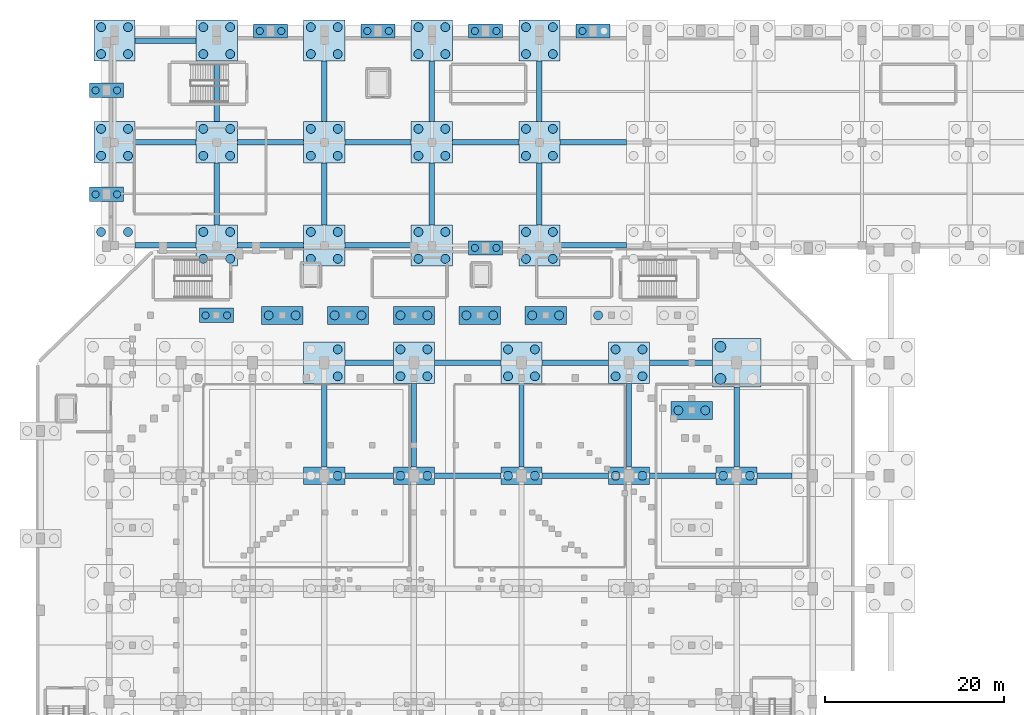
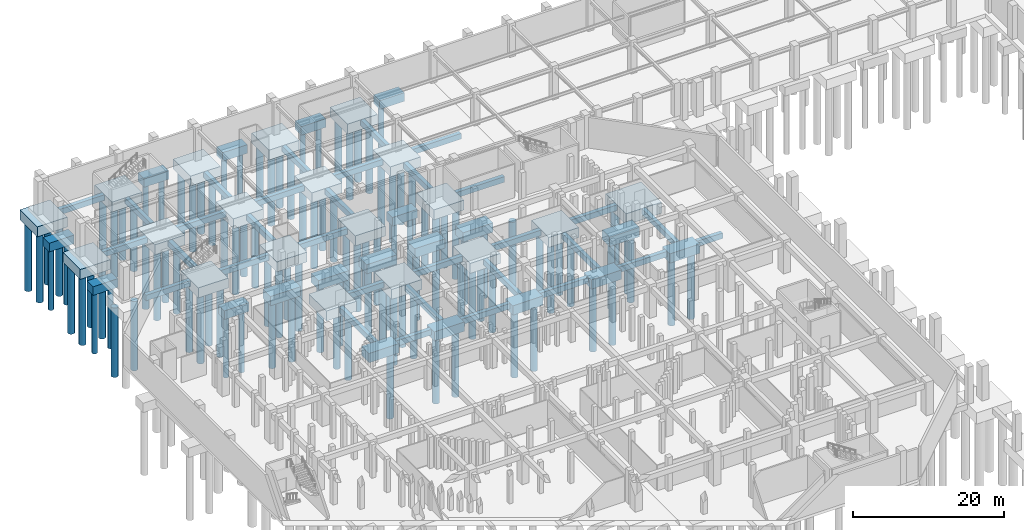
# One storey, part 3 of 27: 111 piles, 70 footings.
"""IFC4 building model written with IfcOpenShell, lengths in metres."""

from ifc_helpers import new_model, si_unit, derived_unit, direction, frame, origin, origin_2d, place, context, subcontext, project, spatial, rectangle, circle, extrude, material, layer, layer_set, material_profile, profile_set, type_object, element, save


model = new_model("IFC4")

# Units and contexts
model_context = context("Model", 3, precision=1e-05, world=origin(), true_north=direction((0.0, 1.0)))
body_context = subcontext(model_context, "Body", "Model", "MODEL_VIEW")
ifc_project = project(units=[si_unit("LENGTHUNIT", "METRE"), si_unit("AREAUNIT", "SQUARE_METRE"), si_unit("VOLUMEUNIT", "CUBIC_METRE"), si_unit("PLANEANGLEUNIT", "RADIAN"), si_unit("MASSUNIT", "GRAM", prefix="KILO"), derived_unit("THERMALTRANSMITTANCEUNIT", [(si_unit("MASSUNIT", "GRAM", prefix="KILO"), 1), (si_unit("TIMEUNIT", "SECOND"), -3), (si_unit("THERMODYNAMICTEMPERATUREUNIT", "KELVIN"), -1)])], contexts=[model_context])

# Site, building, storey
site_placement = place(None, origin())
site = spatial("IfcSite", under=ifc_project, at=site_placement, CompositionType="ELEMENT")
building_placement = place(site_placement, origin())
building = spatial("IfcBuilding", under=site, at=building_placement, Name="Valcora Ridge Arena", CompositionType="ELEMENT")
storey_placement = place(building_placement, frame((0.0, 0.0, -5.39990234375)))
storey = spatial("IfcBuildingStorey", under=building, at=storey_placement, Name="B1", CompositionType="ELEMENT", Elevation=-5.39990234375)

# Footings
ifc_material_1 = material(Name="Concrete C40/50", Category="concrete")
ifc_layer_1 = layer(ifc_material_1, 1.5, Name="Concrete C40/50")
ifc_layer_set_1 = layer_set([ifc_layer_1], Name="Concrete C40/50")
footing_type_1 = type_object("IfcFootingType", Name="TY-FOOTING-PC-2P1000", PredefinedType="PILE_CAP", material=ifc_layer_set_1)
for number, where, z_axis, x_axis, name in (
    (1, (48.0, 83.0, -2.10009765625), (0.0, 0.0, 1.0), (1.0, 0.0, 0.0), "PC-2P1000 FND-PC-0031"),
    (2, (58.0, 83.0, -2.10009765625), (0.0, 0.0, 1.0), (1.0, 0.0, 0.0), "PC-2P1000 FND-PC-0037"),
    (3, (70.0, 83.0, -2.10009765625), (0.0, 0.0, 1.0), (1.0, 0.0, 0.0), "PC-2P1000 FND-PC-0043"),
    (4, (82.0, 83.0, -2.10009765625), (0.0, 0.0, 1.0), (1.0, 0.0, 0.0), "PC-2P1000 FND-PC-0049"),
    (5, (94.0, 83.0, -2.10009765625), (0.0, 0.0, 1.0), (1.0, 0.0, 0.0), "PC-2P1000 FND-PC-0055"),
    (6, (89.0, 90.300048828125, -2.10009765625), (0.0, 0.0, 1.0), (1.0, 0.0, 0.0), "PC-2P1000 FND-PC-0273"),
    (7, (72.699951171875, 100.89990234375, -2.10009765625), (0.0, 0.0, 1.0), (1.0, 0.0, 0.0), "PC-2P1000 FND-PC-0276"),
    (8, (65.35009765625, 100.89990234375, -2.10009765625), (0.0, 0.0, 1.0), (1.0, 0.0, 0.0), "PC-2P1000 FND-PC-0277"),
    (9, (58.0, 100.89990234375, -2.10009765625), (0.0, 0.0, 1.0), (1.0, 0.0, 0.0), "PC-2P1000 FND-PC-0278"),
    (10, (50.64990234375, 100.89990234375, -2.10009765625), (0.0, 0.0, 1.0), (1.0, 0.0, 0.0), "PC-2P1000 FND-PC-0279"),
    (11, (43.300048828125, 100.89990234375, -2.10009765625), (0.0, 0.0, 1.0), (1.0, 0.0, 0.0), "PC-2P1000 FND-PC-0280"),
):
    element("IfcFooting", number, at=place(storey_placement, frame(where, z_axis=z_axis, x_axis=x_axis)), inside=storey, type_object=footing_type_1, Name=name, PredefinedType="PILE_CAP", context=body_context, shape_type="SweptSolid", body=[
        extrude(rectangle(XDim=4.60009765625, YDim=2.0, at=origin_2d()), origin(), (0.0, 0.0, 1.0), 1.5),
    ])
ifc_layer_2 = layer(ifc_material_1, 1.39990234375, Name="Concrete C40/50")
ifc_layer_set_2 = layer_set([ifc_layer_2], Name="Concrete C40/50")
footing_type_2 = type_object("IfcFootingType", Name="TY-FOOTING-PC-2P800", PredefinedType="PILE_CAP", material=ifc_layer_set_2)
for number, where, z_axis, x_axis, name in (
    (12, (42.0, 132.6201171875, -2.0), (0.0, 0.0, 1.0), (1.0, 0.0, 0.0), "PC-2P800 FND-PC-0218"),
    (13, (54.0, 132.6201171875, -2.0), (0.0, 0.0, 1.0), (1.0, 0.0, 0.0), "PC-2P800 FND-PC-0219"),
    (14, (66.0, 132.6201171875, -2.0), (0.0, 0.0, 1.0), (1.0, 0.0, 0.0), "PC-2P800 FND-PC-0220"),
    (15, (78.0, 132.6201171875, -2.0), (0.0, 0.0, 1.0), (1.0, 0.0, 0.0), "PC-2P800 FND-PC-0221"),
    (16, (23.679931640625, 114.39990234375, -2.0), (0.0, 0.0, 1.0), (1.0, 0.0, 0.0), "PC-2P800 FND-PC-0234"),
    (17, (23.679931640625, 126.0, -2.0), (0.0, 0.0, 1.0), (1.0, 0.0, 0.0), "PC-2P800 FND-PC-0235"),
    (18, (66.0, 108.419921875, -2.0), (0.0, 0.0, 1.0), (1.0, 0.0, 0.0), "PC-2P800 FND-PC-0238"),
    (19, (35.949951171875, 100.89990234375, -2.0), (0.0, 0.0, 1.0), (1.0, 0.0, 0.0), "PC-2P800 FND-PC-0281"),
):
    element("IfcFooting", number, at=place(storey_placement, frame(where, z_axis=z_axis, x_axis=x_axis)), inside=storey, type_object=footing_type_2, Name=name, PredefinedType="PILE_CAP", context=body_context, shape_type="SweptSolid", body=[
        extrude(rectangle(XDim=3.800048828125, YDim=1.60009765625, at=origin_2d()), origin(), (0.0, 0.0, 1.0), 1.39990234375),
    ])
ifc_layer_3 = layer(ifc_material_1, 1.60009765625, Name="Concrete C40/50")
ifc_layer_set_3 = layer_set([ifc_layer_3], Name="Concrete C40/50")
footing_type_3 = type_object("IfcFootingType", Name="TY-FOOTING-PC-4P1000", PredefinedType="PILE_CAP", material=ifc_layer_set_3)
for number, where, z_axis, x_axis, name in (
    (20, (48.0, 95.60009765625, -2.2001953125), (0.0, 0.0, 1.0), (1.0, 0.0, 0.0), "PC-4P1000 FND-PC-0032"),
    (21, (58.0, 95.60009765625, -2.2001953125), (0.0, 0.0, 1.0), (1.0, 0.0, 0.0), "PC-4P1000 FND-PC-0038"),
    (22, (70.0, 95.60009765625, -2.2001953125), (0.0, 0.0, 1.0), (1.0, 0.0, 0.0), "PC-4P1000 FND-PC-0044"),
    (23, (82.0, 95.60009765625, -2.2001953125), (0.0, 0.0, 1.0), (1.0, 0.0, 0.0), "PC-4P1000 FND-PC-0050"),
    (24, (24.60009765625, 120.199951171875, -2.2001953125), (0.0, 0.0, 1.0), (1.0, 0.0, 0.0), "PC-4P1000 FND-PC-0064"),
    (25, (24.60009765625, 131.550048828125, -2.2001953125), (0.0, 0.0, 1.0), (1.0, 0.0, 0.0), "PC-4P1000 FND-PC-0065"),
    (26, (36.0, 108.699951171875, -2.2001953125), (0.0, 0.0, 1.0), (1.0, 0.0, 0.0), "PC-4P1000 FND-PC-0066"),
    (27, (36.0, 120.199951171875, -2.2001953125), (0.0, 0.0, 1.0), (1.0, 0.0, 0.0), "PC-4P1000 FND-PC-0067"),
    (28, (36.0, 131.550048828125, -2.2001953125), (0.0, 0.0, 1.0), (1.0, 0.0, 0.0), "PC-4P1000 FND-PC-0068"),
    (29, (48.0, 108.699951171875, -2.2001953125), (0.0, 0.0, 1.0), (1.0, 0.0, 0.0), "PC-4P1000 FND-PC-0069"),
    (30, (48.0, 120.199951171875, -2.2001953125), (0.0, 0.0, 1.0), (1.0, 0.0, 0.0), "PC-4P1000 FND-PC-0070"),
    (31, (48.0, 131.550048828125, -2.2001953125), (0.0, 0.0, 1.0), (1.0, 0.0, 0.0), "PC-4P1000 FND-PC-0071"),
    (32, (60.0, 108.699951171875, -2.2001953125), (0.0, 0.0, 1.0), (1.0, 0.0, 0.0), "PC-4P1000 FND-PC-0072"),
    (33, (60.0, 120.199951171875, -2.2001953125), (0.0, 0.0, 1.0), (1.0, 0.0, 0.0), "PC-4P1000 FND-PC-0073"),
    (34, (60.0, 131.550048828125, -2.2001953125), (0.0, 0.0, 1.0), (1.0, 0.0, 0.0), "PC-4P1000 FND-PC-0074"),
    (35, (72.0, 108.699951171875, -2.2001953125), (0.0, 0.0, 1.0), (1.0, 0.0, 0.0), "PC-4P1000 FND-PC-0075"),
    (36, (72.0, 120.199951171875, -2.2001953125), (0.0, 0.0, 1.0), (1.0, 0.0, 0.0), "PC-4P1000 FND-PC-0076"),
    (37, (72.0, 131.550048828125, -2.2001953125), (0.0, 0.0, 1.0), (1.0, 0.0, 0.0), "PC-4P1000 FND-PC-0077"),
):
    element("IfcFooting", number, at=place(storey_placement, frame(where, z_axis=z_axis, x_axis=x_axis)), inside=storey, type_object=footing_type_3, Name=name, PredefinedType="PILE_CAP", context=body_context, shape_type="SweptSolid", body=[
        extrude(rectangle(XDim=4.60009765625, YDim=4.60009765625, at=origin_2d()), origin(), (0.0, 0.0, 1.0), 1.60009765625),
    ])
ifc_layer_4 = layer(ifc_material_1, 1.800048828125, Name="Concrete C40/50")
ifc_layer_set_4 = layer_set([ifc_layer_4], Name="Concrete C40/50")
footing_type_4 = type_object("IfcFootingType", Name="TY-FOOTING-PC-4P1200", PredefinedType="PILE_CAP", material=ifc_layer_set_4)
footing_1_placement = place(storey_placement, frame((94.0, 95.60009765625, -2.39990234375), z_axis=(0.0, 0.0, 1.0), x_axis=(1.0, 0.0, 0.0)))
element("IfcFooting", 38, at=footing_1_placement, inside=storey, type_object=footing_type_4, Name="PC-4P1200 FND-PC-0056", PredefinedType="PILE_CAP", context=body_context, shape_type="SweptSolid", body=[
    extrude(rectangle(XDim=5.39990234375, YDim=5.39990234375, at=origin_2d()), origin(), (0.0, 0.0, 1.0), 1.800048828125),
])
ifc_layer_5 = layer(ifc_material_1, 0.89990234375, Name="Concrete C40/50")
ifc_layer_set_5 = layer_set([ifc_layer_5], Name="Concrete C40/50")
footing_type_5 = type_object("IfcFootingType", Name="TY-FOOTING-TBX-039", PredefinedType="FOOTING_BEAM", material=ifc_layer_set_5)
footing_2_placement = place(storey_placement, frame((98.25, 83.0, -1.5), z_axis=(0.0, 0.0, 1.0), x_axis=(1.0, 0.0, 0.0)))
element("IfcFooting", 39, at=footing_2_placement, inside=storey, type_object=footing_type_5, Name="TBX-039 FND-TB-0044", PredefinedType="FOOTING_BEAM", context=body_context, shape_type="SweptSolid", body=[
    extrude(rectangle(XDim=3.89794921875, YDim=0.60009765625, at=origin_2d()), origin(), (0.0, 0.0, 1.0), 0.89990234375),
])
ifc_layer_6 = layer(ifc_material_1, 0.89990234375, Name="Concrete C40/50")
ifc_layer_set_6 = layer_set([ifc_layer_6], Name="Concrete C40/50")
footing_type_6 = type_object("IfcFootingType", Name="TY-FOOTING-TBX-054", PredefinedType="FOOTING_BEAM", material=ifc_layer_set_6)
for number, where, z_axis, x_axis, name in (
    (40, (53.0, 83.0, -1.5), (0.0, 0.0, 1.0), (1.0, 0.0, 0.0), "TBX-054 FND-TB-0040"),
    (41, (53.0, 95.60009765625, -1.5), (0.0, 0.0, 1.0), (1.0, 0.0, 0.0), "TBX-054 FND-TB-0049"),
):
    element("IfcFooting", number, at=place(storey_placement, frame(where, z_axis=z_axis, x_axis=x_axis)), inside=storey, type_object=footing_type_6, Name=name, PredefinedType="FOOTING_BEAM", context=body_context, shape_type="SweptSolid", body=[
        extrude(rectangle(XDim=5.39794921875, YDim=0.60009765625, at=origin_2d()), origin(), (0.0, 0.0, 1.0), 0.89990234375),
    ])
ifc_layer_7 = layer(ifc_material_1, 0.89990234375, Name="Concrete C40/50")
ifc_layer_set_7 = layer_set([ifc_layer_7], Name="Concrete C40/50")
footing_type_7 = type_object("IfcFootingType", Name="TY-FOOTING-TBX-068", PredefinedType="FOOTING_BEAM", material=ifc_layer_set_7)
for number, where, z_axis, x_axis, name in (
    (42, (30.300048828125, 108.699951171875, -1.5), (0.0, 0.0, 1.0), (1.0, 0.0, 0.0), "TBX-068 FND-TB-0058"),
    (43, (30.300048828125, 120.199951171875, -1.5), (0.0, 0.0, 1.0), (1.0, 0.0, 0.0), "TBX-068 FND-TB-0066"),
    (44, (30.300048828125, 131.550048828125, -1.5), (0.0, 0.0, 1.0), (1.0, 0.0, 0.0), "TBX-068 FND-TB-0080"),
):
    element("IfcFooting", number, at=place(storey_placement, frame(where, z_axis=z_axis, x_axis=x_axis)), inside=storey, type_object=footing_type_7, Name=name, PredefinedType="FOOTING_BEAM", context=body_context, shape_type="SweptSolid", body=[
        extrude(rectangle(XDim=6.798095703125, YDim=0.60009765625, at=origin_2d()), origin(), (0.0, 0.0, 1.0), 0.89990234375),
    ])
ifc_layer_8 = layer(ifc_material_1, 0.89990234375, Name="Concrete C40/50")
ifc_layer_set_8 = layer_set([ifc_layer_8], Name="Concrete C40/50")
footing_type_8 = type_object("IfcFootingType", Name="TY-FOOTING-TBX-070", PredefinedType="FOOTING_BEAM", material=ifc_layer_set_8)
footing_3_placement = place(storey_placement, frame((87.800048828125, 95.60009765625, -1.5), z_axis=(0.0, 0.0, 1.0), x_axis=(1.0, 0.0, 0.0)))
element("IfcFooting", 45, at=footing_3_placement, inside=storey, type_object=footing_type_8, Name="TBX-070 FND-TB-0052", PredefinedType="FOOTING_BEAM", context=body_context, shape_type="SweptSolid", body=[
    extrude(rectangle(XDim=6.998046875, YDim=0.60009765625, at=origin_2d()), origin(), (0.0, 0.0, 1.0), 0.89990234375),
])
ifc_layer_9 = layer(ifc_material_1, 0.89990234375, Name="Concrete C40/50")
ifc_layer_set_9 = layer_set([ifc_layer_9], Name="Concrete C40/50")
footing_type_9 = type_object("IfcFootingType", Name="TY-FOOTING-TBX-074", PredefinedType="FOOTING_BEAM", material=ifc_layer_set_9)
for number, where, z_axis, x_axis, name in (
    (46, (64.0, 83.0, -1.5), (0.0, 0.0, 1.0), (1.0, 0.0, 0.0), "TBX-074 FND-TB-0041"),
    (47, (76.0, 83.0, -1.5), (0.0, 0.0, 1.0), (1.0, 0.0, 0.0), "TBX-074 FND-TB-0042"),
    (48, (88.0, 83.0, -1.5), (0.0, 0.0, 1.0), (1.0, 0.0, 0.0), "TBX-074 FND-TB-0043"),
    (49, (64.0, 95.60009765625, -1.5), (0.0, 0.0, 1.0), (1.0, 0.0, 0.0), "TBX-074 FND-TB-0050"),
    (50, (76.0, 95.60009765625, -1.5), (0.0, 0.0, 1.0), (1.0, 0.0, 0.0), "TBX-074 FND-TB-0051"),
    (51, (42.0, 108.699951171875, -1.5), (0.0, 0.0, 1.0), (1.0, 0.0, 0.0), "TBX-074 FND-TB-0059"),
    (52, (54.0, 108.699951171875, -1.5), (0.0, 0.0, 1.0), (1.0, 0.0, 0.0), "TBX-074 FND-TB-0060"),
    (53, (78.0, 108.699951171875, -1.5), (0.0, 0.0, 1.0), (1.0, 0.0, 0.0), "TBX-074 FND-TB-0061"),
    (54, (42.0, 120.199951171875, -1.5), (0.0, 0.0, 1.0), (1.0, 0.0, 0.0), "TBX-074 FND-TB-0067"),
    (55, (54.0, 120.199951171875, -1.5), (0.0, 0.0, 1.0), (1.0, 0.0, 0.0), "TBX-074 FND-TB-0068"),
    (56, (66.0, 120.199951171875, -1.5), (0.0, 0.0, 1.0), (1.0, 0.0, 0.0), "TBX-074 FND-TB-0069"),
    (57, (78.0, 120.199951171875, -1.5), (0.0, 0.0, 1.0), (1.0, 0.0, 0.0), "TBX-074 FND-TB-0070"),
):
    element("IfcFooting", number, at=place(storey_placement, frame(where, z_axis=z_axis, x_axis=x_axis)), inside=storey, type_object=footing_type_9, Name=name, PredefinedType="FOOTING_BEAM", context=body_context, shape_type="SweptSolid", body=[
        extrude(rectangle(XDim=7.39794921875, YDim=0.60009765625, at=origin_2d()), origin(), (0.0, 0.0, 1.0), 0.89990234375),
    ])
ifc_layer_10 = layer(ifc_material_1, 0.89990234375, Name="Concrete C40/50")
ifc_layer_set_10 = layer_set([ifc_layer_10], Name="Concrete C40/50")
footing_type_10 = type_object("IfcFootingType", Name="TY-FOOTING-TBY-067", PredefinedType="FOOTING_BEAM", material=ifc_layer_set_10)
for number, where, z_axis, x_axis, name in (
    (58, (48.0, 125.875, -1.5), (0.0, 0.0, 1.0), (1.0, 0.0, 0.0), "TBY-067 FND-TB-0113"),
    (59, (36.0, 125.875, -1.5), (0.0, 0.0, 1.0), (1.0, 0.0, 0.0), "TBY-067 FND-TB-0141"),
    (60, (60.0, 125.875, -1.5), (0.0, 0.0, 1.0), (1.0, 0.0, 0.0), "TBY-067 FND-TB-0143"),
    (61, (72.0, 125.875, -1.5), (0.0, 0.0, 1.0), (1.0, 0.0, 0.0), "TBY-067 FND-TB-0145"),
):
    element("IfcFooting", number, at=place(storey_placement, frame(where, z_axis=z_axis, x_axis=x_axis)), inside=storey, type_object=footing_type_10, Name=name, PredefinedType="FOOTING_BEAM", context=body_context, shape_type="SweptSolid", body=[
        extrude(rectangle(XDim=0.60009765625, YDim=6.748046875, at=origin_2d()), origin(), (0.0, 0.0, 1.0), 0.89990234375),
    ])
ifc_layer_11 = layer(ifc_material_1, 0.89990234375, Name="Concrete C40/50")
ifc_layer_set_11 = layer_set([ifc_layer_11], Name="Concrete C40/50")
footing_type_11 = type_object("IfcFootingType", Name="TY-FOOTING-TBY-069", PredefinedType="FOOTING_BEAM", material=ifc_layer_set_11)
for number, where, z_axis, x_axis, name in (
    (62, (48.0, 114.449951171875, -1.5), (0.0, 0.0, 1.0), (1.0, 0.0, 0.0), "TBY-069 FND-TB-0112"),
    (63, (36.0, 114.449951171875, -1.5), (0.0, 0.0, 1.0), (1.0, 0.0, 0.0), "TBY-069 FND-TB-0140"),
    (64, (60.0, 114.449951171875, -1.5), (0.0, 0.0, 1.0), (1.0, 0.0, 0.0), "TBY-069 FND-TB-0142"),
    (65, (72.0, 114.449951171875, -1.5), (0.0, 0.0, 1.0), (1.0, 0.0, 0.0), "TBY-069 FND-TB-0144"),
):
    element("IfcFooting", number, at=place(storey_placement, frame(where, z_axis=z_axis, x_axis=x_axis)), inside=storey, type_object=footing_type_11, Name=name, PredefinedType="FOOTING_BEAM", context=body_context, shape_type="SweptSolid", body=[
        extrude(rectangle(XDim=0.60009765625, YDim=6.89794921875, at=origin_2d()), origin(), (0.0, 0.0, 1.0), 0.89990234375),
    ])
ifc_layer_12 = layer(ifc_material_1, 0.89990234375, Name="Concrete C40/50")
ifc_layer_set_12 = layer_set([ifc_layer_12], Name="Concrete C40/50")
footing_type_12 = type_object("IfcFootingType", Name="TY-FOOTING-TBY-089", PredefinedType="FOOTING_BEAM", material=ifc_layer_set_12)
footing_4_placement = place(storey_placement, frame((94.0, 88.449951171875, -1.5), z_axis=(0.0, 0.0, 1.0), x_axis=(1.0, 0.0, 0.0)))
element("IfcFooting", 66, at=footing_4_placement, inside=storey, type_object=footing_type_12, Name="TBY-089 FND-TB-0134", PredefinedType="FOOTING_BEAM", context=body_context, shape_type="SweptSolid", body=[
    extrude(rectangle(XDim=0.60009765625, YDim=8.89794921875, at=origin_2d()), origin(), (0.0, 0.0, 1.0), 0.89990234375),
])
ifc_layer_13 = layer(ifc_material_1, 0.89990234375, Name="Concrete C40/50")
ifc_layer_set_13 = layer_set([ifc_layer_13], Name="Concrete C40/50")
footing_type_13 = type_object("IfcFootingType", Name="TY-FOOTING-TBY-093", PredefinedType="FOOTING_BEAM", material=ifc_layer_set_13)
for number, where, z_axis, x_axis, name in (
    (67, (48.0, 88.64990234375, -1.5), (0.0, 0.0, 1.0), (1.0, 0.0, 0.0), "TBY-093 FND-TB-0111"),
    (68, (58.0, 88.64990234375, -1.5), (0.0, 0.0, 1.0), (1.0, 0.0, 0.0), "TBY-093 FND-TB-0118"),
    (69, (70.0, 88.64990234375, -1.5), (0.0, 0.0, 1.0), (1.0, 0.0, 0.0), "TBY-093 FND-TB-0124"),
    (70, (82.0, 88.64990234375, -1.5), (0.0, 0.0, 1.0), (1.0, 0.0, 0.0), "TBY-093 FND-TB-0129"),
):
    element("IfcFooting", number, at=place(storey_placement, frame(where, z_axis=z_axis, x_axis=x_axis)), inside=storey, type_object=footing_type_13, Name=name, PredefinedType="FOOTING_BEAM", context=body_context, shape_type="SweptSolid", body=[
        extrude(rectangle(XDim=0.60009765625, YDim=9.298095703125, at=origin_2d()), origin(), (0.0, 0.0, 1.0), 0.89990234375),
    ])

# Piles
ifc_material_2 = material(Name="Concrete C35/45", Category="concrete")
ifc_material_profile_1 = material_profile(ifc_material_2, circle(Radius=0.5, at=origin_2d()), Name="BORED PILE D1000")
ifc_profile_set_1 = profile_set([ifc_material_profile_1], Name="Concrete C35/45")
pile_type_1 = type_object("IfcPileType", Name="TY-PILE-P-1000A", PredefinedType="BORED", material=ifc_profile_set_1)
for number, where, z_axis, x_axis, name in (
    (71, (49.5, 94.10009765625, -2.10009765625), (0.0, 0.0, -1.0), (1.0, 0.0, 0.0), "P-1000A FND-PL-P-1000A-0014"),
    (72, (49.5, 97.10009765625, -2.10009765625), (0.0, 0.0, -1.0), (1.0, 0.0, 0.0), "P-1000A FND-PL-P-1000A-0016"),
    (73, (56.5, 94.10009765625, -2.10009765625), (0.0, 0.0, -1.0), (1.0, 0.0, 0.0), "P-1000A FND-PL-P-1000A-0021"),
    (74, (59.5, 94.10009765625, -2.10009765625), (0.0, 0.0, -1.0), (1.0, 0.0, 0.0), "P-1000A FND-PL-P-1000A-0022"),
    (75, (56.5, 97.10009765625, -2.10009765625), (0.0, 0.0, -1.0), (1.0, 0.0, 0.0), "P-1000A FND-PL-P-1000A-0023"),
    (76, (59.5, 97.10009765625, -2.10009765625), (0.0, 0.0, -1.0), (1.0, 0.0, 0.0), "P-1000A FND-PL-P-1000A-0024"),
    (77, (68.5, 94.10009765625, -2.10009765625), (0.0, 0.0, -1.0), (1.0, 0.0, 0.0), "P-1000A FND-PL-P-1000A-0029"),
    (78, (71.5, 94.10009765625, -2.10009765625), (0.0, 0.0, -1.0), (1.0, 0.0, 0.0), "P-1000A FND-PL-P-1000A-0030"),
    (79, (68.5, 97.10009765625, -2.10009765625), (0.0, 0.0, -1.0), (1.0, 0.0, 0.0), "P-1000A FND-PL-P-1000A-0031"),
    (80, (71.5, 97.10009765625, -2.10009765625), (0.0, 0.0, -1.0), (1.0, 0.0, 0.0), "P-1000A FND-PL-P-1000A-0032"),
    (81, (80.5, 94.10009765625, -2.10009765625), (0.0, 0.0, -1.0), (1.0, 0.0, 0.0), "P-1000A FND-PL-P-1000A-0037"),
    (82, (83.5, 94.10009765625, -2.10009765625), (0.0, 0.0, -1.0), (1.0, 0.0, 0.0), "P-1000A FND-PL-P-1000A-0038"),
    (83, (80.5, 97.10009765625, -2.10009765625), (0.0, 0.0, -1.0), (1.0, 0.0, 0.0), "P-1000A FND-PL-P-1000A-0039"),
    (84, (83.5, 97.10009765625, -2.10009765625), (0.0, 0.0, -1.0), (1.0, 0.0, 0.0), "P-1000A FND-PL-P-1000A-0040"),
    (85, (23.10009765625, 110.199951171875, -2.10009765625), (0.0, 0.0, -1.0), (1.0, 0.0, 0.0), "P-1000A FND-PL-P-1000A-0067"),
    (86, (26.10009765625, 110.199951171875, -2.10009765625), (0.0, 0.0, -1.0), (1.0, 0.0, 0.0), "P-1000A FND-PL-P-1000A-0068"),
    (87, (23.10009765625, 118.699951171875, -2.10009765625), (0.0, 0.0, -1.0), (1.0, 0.0, 0.0), "P-1000A FND-PL-P-1000A-0069"),
    (88, (26.10009765625, 118.699951171875, -2.10009765625), (0.0, 0.0, -1.0), (1.0, 0.0, 0.0), "P-1000A FND-PL-P-1000A-0070"),
    (89, (23.10009765625, 121.699951171875, -2.10009765625), (0.0, 0.0, -1.0), (1.0, 0.0, 0.0), "P-1000A FND-PL-P-1000A-0071"),
    (90, (26.10009765625, 121.699951171875, -2.10009765625), (0.0, 0.0, -1.0), (1.0, 0.0, 0.0), "P-1000A FND-PL-P-1000A-0072"),
    (91, (23.10009765625, 130.050048828125, -2.10009765625), (0.0, 0.0, -1.0), (1.0, 0.0, 0.0), "P-1000A FND-PL-P-1000A-0073"),
    (92, (26.10009765625, 130.050048828125, -2.10009765625), (0.0, 0.0, -1.0), (1.0, 0.0, 0.0), "P-1000A FND-PL-P-1000A-0074"),
    (93, (23.10009765625, 133.050048828125, -2.10009765625), (0.0, 0.0, -1.0), (1.0, 0.0, 0.0), "P-1000A FND-PL-P-1000A-0075"),
    (94, (26.10009765625, 133.050048828125, -2.10009765625), (0.0, 0.0, -1.0), (1.0, 0.0, 0.0), "P-1000A FND-PL-P-1000A-0076"),
    (95, (34.5, 107.199951171875, -2.10009765625), (0.0, 0.0, -1.0), (1.0, 0.0, 0.0), "P-1000A FND-PL-P-1000A-0077"),
    (96, (37.5, 107.199951171875, -2.10009765625), (0.0, 0.0, -1.0), (1.0, 0.0, 0.0), "P-1000A FND-PL-P-1000A-0078"),
    (97, (34.5, 110.199951171875, -2.10009765625), (0.0, 0.0, -1.0), (1.0, 0.0, 0.0), "P-1000A FND-PL-P-1000A-0079"),
    (98, (37.5, 110.199951171875, -2.10009765625), (0.0, 0.0, -1.0), (1.0, 0.0, 0.0), "P-1000A FND-PL-P-1000A-0080"),
    (99, (34.5, 118.699951171875, -2.10009765625), (0.0, 0.0, -1.0), (1.0, 0.0, 0.0), "P-1000A FND-PL-P-1000A-0081"),
    (100, (37.5, 118.699951171875, -2.10009765625), (0.0, 0.0, -1.0), (1.0, 0.0, 0.0), "P-1000A FND-PL-P-1000A-0082"),
    (101, (34.5, 121.699951171875, -2.10009765625), (0.0, 0.0, -1.0), (1.0, 0.0, 0.0), "P-1000A FND-PL-P-1000A-0083"),
    (102, (37.5, 121.699951171875, -2.10009765625), (0.0, 0.0, -1.0), (1.0, 0.0, 0.0), "P-1000A FND-PL-P-1000A-0084"),
    (103, (34.5, 130.050048828125, -2.10009765625), (0.0, 0.0, -1.0), (1.0, 0.0, 0.0), "P-1000A FND-PL-P-1000A-0085"),
    (104, (37.5, 130.050048828125, -2.10009765625), (0.0, 0.0, -1.0), (1.0, 0.0, 0.0), "P-1000A FND-PL-P-1000A-0086"),
    (105, (34.5, 133.050048828125, -2.10009765625), (0.0, 0.0, -1.0), (1.0, 0.0, 0.0), "P-1000A FND-PL-P-1000A-0087"),
    (106, (37.5, 133.050048828125, -2.10009765625), (0.0, 0.0, -1.0), (1.0, 0.0, 0.0), "P-1000A FND-PL-P-1000A-0088"),
    (107, (46.5, 107.199951171875, -2.10009765625), (0.0, 0.0, -1.0), (1.0, 0.0, 0.0), "P-1000A FND-PL-P-1000A-0089"),
    (108, (49.5, 107.199951171875, -2.10009765625), (0.0, 0.0, -1.0), (1.0, 0.0, 0.0), "P-1000A FND-PL-P-1000A-0090"),
    (109, (46.5, 110.199951171875, -2.10009765625), (0.0, 0.0, -1.0), (1.0, 0.0, 0.0), "P-1000A FND-PL-P-1000A-0091"),
    (110, (49.5, 110.199951171875, -2.10009765625), (0.0, 0.0, -1.0), (1.0, 0.0, 0.0), "P-1000A FND-PL-P-1000A-0092"),
    (111, (46.5, 118.699951171875, -2.10009765625), (0.0, 0.0, -1.0), (1.0, 0.0, 0.0), "P-1000A FND-PL-P-1000A-0093"),
    (112, (49.5, 118.699951171875, -2.10009765625), (0.0, 0.0, -1.0), (1.0, 0.0, 0.0), "P-1000A FND-PL-P-1000A-0094"),
    (113, (46.5, 121.699951171875, -2.10009765625), (0.0, 0.0, -1.0), (1.0, 0.0, 0.0), "P-1000A FND-PL-P-1000A-0095"),
    (114, (49.5, 121.699951171875, -2.10009765625), (0.0, 0.0, -1.0), (1.0, 0.0, 0.0), "P-1000A FND-PL-P-1000A-0096"),
    (115, (46.5, 130.050048828125, -2.10009765625), (0.0, 0.0, -1.0), (1.0, 0.0, 0.0), "P-1000A FND-PL-P-1000A-0097"),
    (116, (49.5, 130.050048828125, -2.10009765625), (0.0, 0.0, -1.0), (1.0, 0.0, 0.0), "P-1000A FND-PL-P-1000A-0098"),
    (117, (46.5, 133.050048828125, -2.10009765625), (0.0, 0.0, -1.0), (1.0, 0.0, 0.0), "P-1000A FND-PL-P-1000A-0099"),
    (118, (49.5, 133.050048828125, -2.10009765625), (0.0, 0.0, -1.0), (1.0, 0.0, 0.0), "P-1000A FND-PL-P-1000A-0100"),
    (119, (58.5, 107.199951171875, -2.10009765625), (0.0, 0.0, -1.0), (1.0, 0.0, 0.0), "P-1000A FND-PL-P-1000A-0101"),
    (120, (61.5, 107.199951171875, -2.10009765625), (0.0, 0.0, -1.0), (1.0, 0.0, 0.0), "P-1000A FND-PL-P-1000A-0102"),
    (121, (58.5, 110.199951171875, -2.10009765625), (0.0, 0.0, -1.0), (1.0, 0.0, 0.0), "P-1000A FND-PL-P-1000A-0103"),
    (122, (61.5, 110.199951171875, -2.10009765625), (0.0, 0.0, -1.0), (1.0, 0.0, 0.0), "P-1000A FND-PL-P-1000A-0104"),
    (123, (58.5, 118.699951171875, -2.10009765625), (0.0, 0.0, -1.0), (1.0, 0.0, 0.0), "P-1000A FND-PL-P-1000A-0105"),
    (124, (61.5, 118.699951171875, -2.10009765625), (0.0, 0.0, -1.0), (1.0, 0.0, 0.0), "P-1000A FND-PL-P-1000A-0106"),
    (125, (58.5, 121.699951171875, -2.10009765625), (0.0, 0.0, -1.0), (1.0, 0.0, 0.0), "P-1000A FND-PL-P-1000A-0107"),
    (126, (61.5, 121.699951171875, -2.10009765625), (0.0, 0.0, -1.0), (1.0, 0.0, 0.0), "P-1000A FND-PL-P-1000A-0108"),
    (127, (58.5, 130.050048828125, -2.10009765625), (0.0, 0.0, -1.0), (1.0, 0.0, 0.0), "P-1000A FND-PL-P-1000A-0109"),
    (128, (61.5, 130.050048828125, -2.10009765625), (0.0, 0.0, -1.0), (1.0, 0.0, 0.0), "P-1000A FND-PL-P-1000A-0110"),
    (129, (58.5, 133.050048828125, -2.10009765625), (0.0, 0.0, -1.0), (1.0, 0.0, 0.0), "P-1000A FND-PL-P-1000A-0111"),
    (130, (61.5, 133.050048828125, -2.10009765625), (0.0, 0.0, -1.0), (1.0, 0.0, 0.0), "P-1000A FND-PL-P-1000A-0112"),
    (131, (70.5, 107.199951171875, -2.10009765625), (0.0, 0.0, -1.0), (1.0, 0.0, 0.0), "P-1000A FND-PL-P-1000A-0113"),
    (132, (73.5, 107.199951171875, -2.10009765625), (0.0, 0.0, -1.0), (1.0, 0.0, 0.0), "P-1000A FND-PL-P-1000A-0114"),
    (133, (70.5, 110.199951171875, -2.10009765625), (0.0, 0.0, -1.0), (1.0, 0.0, 0.0), "P-1000A FND-PL-P-1000A-0115"),
    (134, (73.5, 110.199951171875, -2.10009765625), (0.0, 0.0, -1.0), (1.0, 0.0, 0.0), "P-1000A FND-PL-P-1000A-0116"),
    (135, (70.5, 118.699951171875, -2.10009765625), (0.0, 0.0, -1.0), (1.0, 0.0, 0.0), "P-1000A FND-PL-P-1000A-0117"),
    (136, (73.5, 118.699951171875, -2.10009765625), (0.0, 0.0, -1.0), (1.0, 0.0, 0.0), "P-1000A FND-PL-P-1000A-0118"),
    (137, (70.5, 121.699951171875, -2.10009765625), (0.0, 0.0, -1.0), (1.0, 0.0, 0.0), "P-1000A FND-PL-P-1000A-0119"),
    (138, (73.5, 121.699951171875, -2.10009765625), (0.0, 0.0, -1.0), (1.0, 0.0, 0.0), "P-1000A FND-PL-P-1000A-0120"),
    (139, (70.5, 130.050048828125, -2.10009765625), (0.0, 0.0, -1.0), (1.0, 0.0, 0.0), "P-1000A FND-PL-P-1000A-0121"),
    (140, (73.5, 130.050048828125, -2.10009765625), (0.0, 0.0, -1.0), (1.0, 0.0, 0.0), "P-1000A FND-PL-P-1000A-0122"),
    (141, (70.5, 133.050048828125, -2.10009765625), (0.0, 0.0, -1.0), (1.0, 0.0, 0.0), "P-1000A FND-PL-P-1000A-0123"),
    (142, (73.5, 133.050048828125, -2.10009765625), (0.0, 0.0, -1.0), (1.0, 0.0, 0.0), "P-1000A FND-PL-P-1000A-0124"),
):
    element("IfcPile", number, at=place(storey_placement, frame(where, z_axis=z_axis, x_axis=x_axis)), inside=storey, type_object=pile_type_1, Name=name, PredefinedType="BORED", context=body_context, shape_type="SweptSolid", body=[
        extrude(circle(Radius=0.5, at=origin_2d()), origin(), (0.0, 0.0, 1.0), 11.199951171875),
    ])
ifc_material_profile_2 = material_profile(ifc_material_2, circle(Radius=0.5, at=origin_2d()), Name="BORED PILE D1000")
ifc_profile_set_2 = profile_set([ifc_material_profile_2], Name="Concrete C35/45")
pile_type_2 = type_object("IfcPileType", Name="TY-PILE-P-1000B", PredefinedType="BORED", material=ifc_profile_set_2)
for number, where, z_axis, x_axis, name in (
    (143, (49.5, 83.0, -2.0), (0.0, 0.0, -1.0), (1.0, 0.0, 0.0), "P-1000B FND-PL-P-1000B-0024"),
    (144, (56.5, 83.0, -2.0), (0.0, 0.0, -1.0), (1.0, 0.0, 0.0), "P-1000B FND-PL-P-1000B-0031"),
    (145, (59.5, 83.0, -2.0), (0.0, 0.0, -1.0), (1.0, 0.0, 0.0), "P-1000B FND-PL-P-1000B-0032"),
    (146, (68.5, 83.0, -2.0), (0.0, 0.0, -1.0), (1.0, 0.0, 0.0), "P-1000B FND-PL-P-1000B-0039"),
    (147, (71.5, 83.0, -2.0), (0.0, 0.0, -1.0), (1.0, 0.0, 0.0), "P-1000B FND-PL-P-1000B-0040"),
    (148, (80.5, 83.0, -2.0), (0.0, 0.0, -1.0), (1.0, 0.0, 0.0), "P-1000B FND-PL-P-1000B-0047"),
    (149, (83.5, 83.0, -2.0), (0.0, 0.0, -1.0), (1.0, 0.0, 0.0), "P-1000B FND-PL-P-1000B-0048"),
    (150, (92.5, 83.0, -2.0), (0.0, 0.0, -1.0), (1.0, 0.0, 0.0), "P-1000B FND-PL-P-1000B-0055"),
    (151, (95.5, 83.0, -2.0), (0.0, 0.0, -1.0), (1.0, 0.0, 0.0), "P-1000B FND-PL-P-1000B-0056"),
    (152, (87.5, 90.300048828125, -2.0), (0.0, 0.0, -1.0), (1.0, 0.0, 0.0), "P-1000B FND-PL-P-1000B-0089"),
    (153, (90.5, 90.300048828125, -2.0), (0.0, 0.0, -1.0), (1.0, 0.0, 0.0), "P-1000B FND-PL-P-1000B-0090"),
    (154, (78.550048828125, 100.89990234375, -2.0), (0.0, 0.0, -1.0), (1.0, 0.0, 0.0), "P-1000B FND-PL-P-1000B-0093"),
    (155, (71.199951171875, 100.89990234375, -2.0), (0.0, 0.0, -1.0), (1.0, 0.0, 0.0), "P-1000B FND-PL-P-1000B-0095"),
    (156, (74.199951171875, 100.89990234375, -2.0), (0.0, 0.0, -1.0), (1.0, 0.0, 0.0), "P-1000B FND-PL-P-1000B-0096"),
    (157, (63.85009765625, 100.89990234375, -2.0), (0.0, 0.0, -1.0), (1.0, 0.0, 0.0), "P-1000B FND-PL-P-1000B-0097"),
    (158, (66.85009765625, 100.89990234375, -2.0), (0.0, 0.0, -1.0), (1.0, 0.0, 0.0), "P-1000B FND-PL-P-1000B-0098"),
    (159, (56.5, 100.89990234375, -2.0), (0.0, 0.0, -1.0), (1.0, 0.0, 0.0), "P-1000B FND-PL-P-1000B-0099"),
    (160, (59.5, 100.89990234375, -2.0), (0.0, 0.0, -1.0), (1.0, 0.0, 0.0), "P-1000B FND-PL-P-1000B-0100"),
    (161, (49.14990234375, 100.89990234375, -2.0), (0.0, 0.0, -1.0), (1.0, 0.0, 0.0), "P-1000B FND-PL-P-1000B-0101"),
    (162, (52.14990234375, 100.89990234375, -2.0), (0.0, 0.0, -1.0), (1.0, 0.0, 0.0), "P-1000B FND-PL-P-1000B-0102"),
    (163, (41.800048828125, 100.89990234375, -2.0), (0.0, 0.0, -1.0), (1.0, 0.0, 0.0), "P-1000B FND-PL-P-1000B-0103"),
    (164, (44.800048828125, 100.89990234375, -2.0), (0.0, 0.0, -1.0), (1.0, 0.0, 0.0), "P-1000B FND-PL-P-1000B-0104"),
):
    element("IfcPile", number, at=place(storey_placement, frame(where, z_axis=z_axis, x_axis=x_axis)), inside=storey, type_object=pile_type_2, Name=name, PredefinedType="BORED", context=body_context, shape_type="SweptSolid", body=[
        extrude(circle(Radius=0.5, at=origin_2d()), origin(), (0.0, 0.0, 1.0), 10.800048828125),
    ])
ifc_material_profile_3 = material_profile(ifc_material_2, circle(Radius=0.60009765625, at=origin_2d()), Name="BORED PILE D1200")
ifc_profile_set_3 = profile_set([ifc_material_profile_3], Name="Concrete C35/45")
pile_type_3 = type_object("IfcPileType", Name="TY-PILE-P-1200A", PredefinedType="BORED", material=ifc_profile_set_3)
for number, where, z_axis, x_axis, name in (
    (165, (92.199951171875, 93.800048828125, -2.300048828125), (0.0, 0.0, -1.0), (1.0, 0.0, 0.0), "P-1200A FND-PL-P-1200A-0069"),
    (166, (92.199951171875, 97.39990234375, -2.300048828125), (0.0, 0.0, -1.0), (1.0, 0.0, 0.0), "P-1200A FND-PL-P-1200A-0071"),
):
    element("IfcPile", number, at=place(storey_placement, frame(where, z_axis=z_axis, x_axis=x_axis)), inside=storey, type_object=pile_type_3, Name=name, PredefinedType="BORED", context=body_context, shape_type="SweptSolid", body=[
        extrude(circle(Radius=0.60009765625, at=origin_2d()), origin(), (0.0, 0.0, 1.0), 11.800048828125),
    ])
ifc_material_profile_4 = material_profile(ifc_material_2, circle(Radius=0.39990234375, at=origin_2d()), Name="BORED PILE D800")
ifc_profile_set_4 = profile_set([ifc_material_profile_4], Name="Concrete C35/45")
pile_type_4 = type_object("IfcPileType", Name="TY-PILE-P-800B", PredefinedType="BORED", material=ifc_profile_set_4)
for number, where, z_axis, x_axis, name in (
    (167, (40.800048828125, 132.6201171875, -1.900146484375), (0.0, 0.0, -1.0), (1.0, 0.0, 0.0), "P-800B FND-PL-P-800B-0043"),
    (168, (43.199951171875, 132.6201171875, -1.900146484375), (0.0, 0.0, -1.0), (1.0, 0.0, 0.0), "P-800B FND-PL-P-800B-0044"),
    (169, (52.800048828125, 132.6201171875, -1.900146484375), (0.0, 0.0, -1.0), (1.0, 0.0, 0.0), "P-800B FND-PL-P-800B-0045"),
    (170, (55.199951171875, 132.6201171875, -1.900146484375), (0.0, 0.0, -1.0), (1.0, 0.0, 0.0), "P-800B FND-PL-P-800B-0046"),
    (171, (64.800048828125, 132.6201171875, -1.900146484375), (0.0, 0.0, -1.0), (1.0, 0.0, 0.0), "P-800B FND-PL-P-800B-0047"),
    (172, (67.199951171875, 132.6201171875, -1.900146484375), (0.0, 0.0, -1.0), (1.0, 0.0, 0.0), "P-800B FND-PL-P-800B-0048"),
    (173, (76.800048828125, 132.6201171875, -1.900146484375), (0.0, 0.0, -1.0), (1.0, 0.0, 0.0), "P-800B FND-PL-P-800B-0049"),
    (174, (22.47998046875, 114.39990234375, -1.900146484375), (0.0, 0.0, -1.0), (1.0, 0.0, 0.0), "P-800B FND-PL-P-800B-0075"),
    (175, (24.8798828125, 114.39990234375, -1.900146484375), (0.0, 0.0, -1.0), (1.0, 0.0, 0.0), "P-800B FND-PL-P-800B-0076"),
    (176, (22.47998046875, 126.0, -1.900146484375), (0.0, 0.0, -1.0), (1.0, 0.0, 0.0), "P-800B FND-PL-P-800B-0077"),
    (177, (24.8798828125, 126.0, -1.900146484375), (0.0, 0.0, -1.0), (1.0, 0.0, 0.0), "P-800B FND-PL-P-800B-0078"),
    (178, (64.800048828125, 108.419921875, -1.900146484375), (0.0, 0.0, -1.0), (1.0, 0.0, 0.0), "P-800B FND-PL-P-800B-0083"),
    (179, (67.199951171875, 108.419921875, -1.900146484375), (0.0, 0.0, -1.0), (1.0, 0.0, 0.0), "P-800B FND-PL-P-800B-0084"),
    (180, (34.75, 100.89990234375, -1.900146484375), (0.0, 0.0, -1.0), (1.0, 0.0, 0.0), "P-800B FND-PL-P-800B-0129"),
    (181, (37.14990234375, 100.89990234375, -1.900146484375), (0.0, 0.0, -1.0), (1.0, 0.0, 0.0), "P-800B FND-PL-P-800B-0130"),
):
    element("IfcPile", number, at=place(storey_placement, frame(where, z_axis=z_axis, x_axis=x_axis)), inside=storey, type_object=pile_type_4, Name=name, PredefinedType="BORED", context=body_context, shape_type="SweptSolid", body=[
        extrude(circle(Radius=0.39990234375, at=origin_2d()), origin(), (0.0, 0.0, 1.0), 10.0),
    ])

save(model, "model.ifc")
